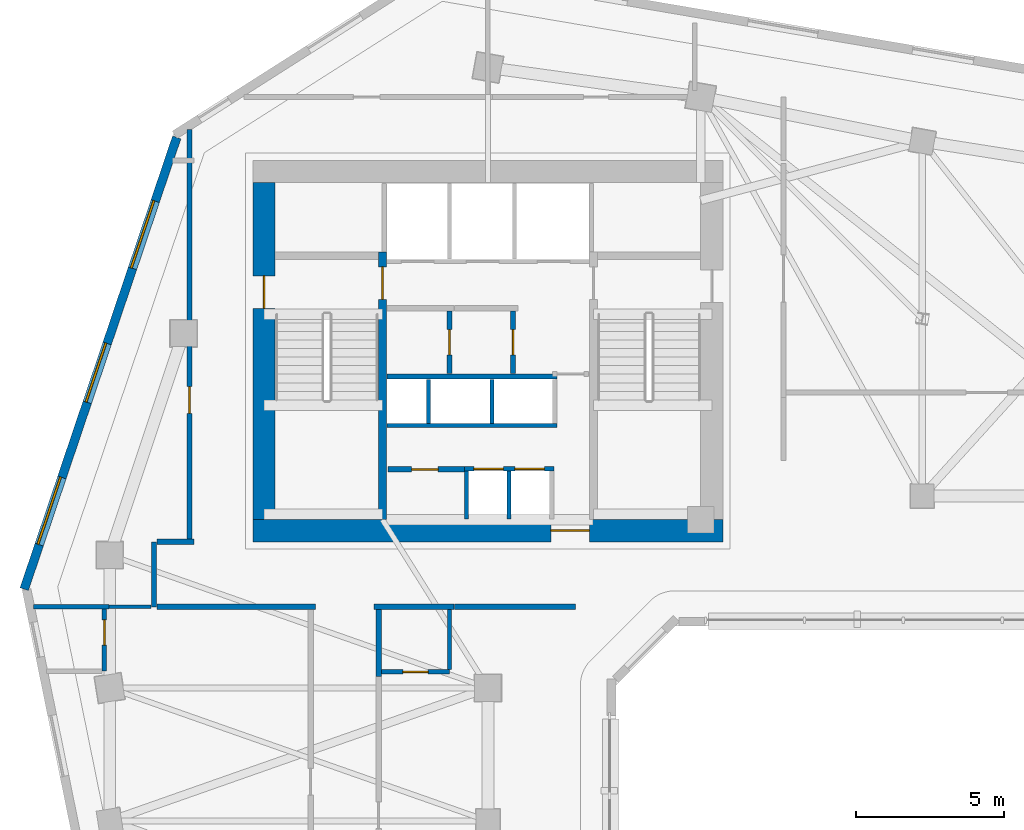
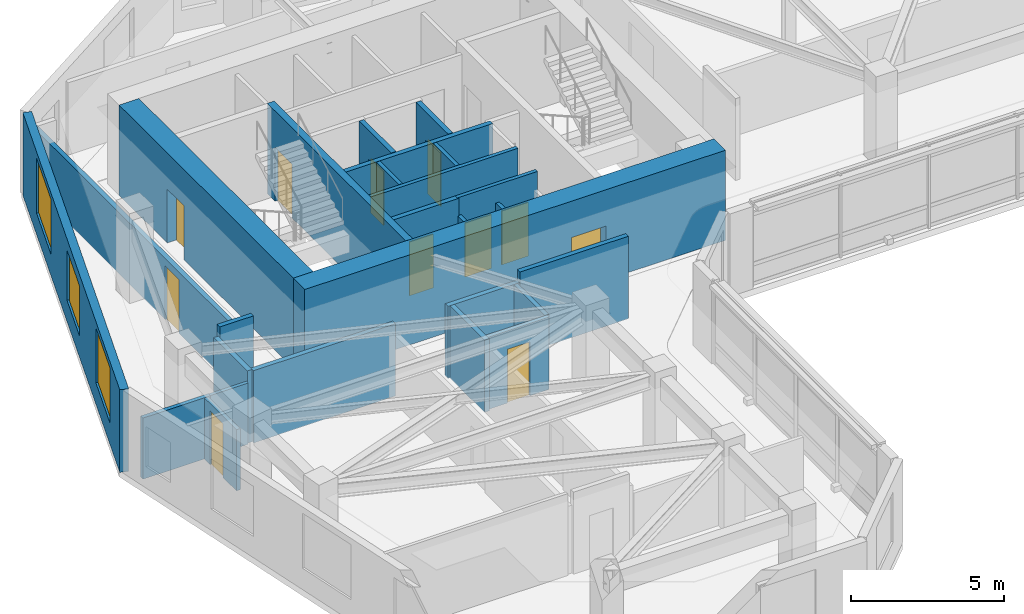
# One storey, part 5 of 10: 26 walls, 11 doors, 3 windows, 14 openings.
"""IFC4 building model written with IfcOpenShell, lengths in metres."""

from ifc_helpers import new_model, si_unit, direction, frame, frame_2d, origin, place, context, subcontext, project, spatial, rectangle, extrude, source, transform, mapped, material, layer, layer_set, type_object, element, fill, save


model = new_model("IFC4")

# Units and contexts
model_context = context("Model", 3, precision=1e-05, world=origin(), true_north=direction((0.0, 1.0)))
body_context = subcontext(model_context, "Body", "Model", "MODEL_VIEW")
ifc_project = project(units=[si_unit("LENGTHUNIT", "METRE"), si_unit("AREAUNIT", "SQUARE_METRE"), si_unit("VOLUMEUNIT", "CUBIC_METRE"), si_unit("PLANEANGLEUNIT", "RADIAN"), si_unit("MASSUNIT", "GRAM", prefix="KILO")], contexts=[model_context])

# Site, building, storey
site_placement = place(None, origin())
site = spatial("IfcSite", under=ifc_project, at=site_placement, CompositionType="ELEMENT")
building_placement = place(site_placement, origin())
building = spatial("IfcBuilding", under=site, at=building_placement, Name="Calvemar Wedge Station Tower", CompositionType="ELEMENT")
storey_placement = place(building_placement, frame((0.0, 0.0, 168.199951171875)))
storey = spatial("IfcBuildingStorey", under=building, at=storey_placement, Name="L42", CompositionType="ELEMENT", Elevation=168.199951171875)

# Wall, opening, door
ifc_material_1 = material(Name="Concrete C50", Category="concrete")
ifc_layer_1 = layer(ifc_material_1, 0.260009765625)
ifc_layer_set_1 = layer_set([ifc_layer_1], Name="Concrete C50")
wall_type_1 = type_object("IfcWallType", Name="SW-CORE-260", PredefinedType="SHEAR", material=ifc_layer_set_1)
wall_1_placement = place(storey_placement, frame((20.22998046875, 34.199951171875, 0.0), z_axis=(0.0, 0.0, 1.0), x_axis=(0.0, 1.0, 0.0)))
wall_1 = element("IfcWall", 1, at=wall_1_placement, inside=storey, type_object=wall_type_1, Name="Storey L42 Core Shear Wall SPINE-W", PredefinedType="SHEAR", context=body_context, shape_type="SweptSolid", body=[
    extrude(rectangle(XDim=9.06005859375, YDim=0.260009765625, at=frame_2d((4.530029296875, 0.0))), origin(), (0.0, 0.0, 1.0), 3.60009765625),
])
shared_shape_1 = source(origin(), body_context, "Body", "SweptSolid", [
    extrude(rectangle(XDim=1.10009765625, YDim=2.14990234375, at=frame_2d((0.550048828125, 1.074951171875))), frame((0.0, 0.14013671875, 0.0), z_axis=(0.0, -1.0, 0.0), x_axis=(1.0, 0.0, 0.0)), (0.0, 0.0, 1.0), 0.280029296875),
])
opening_1_placement = place(wall_1_placement, frame((7.449951171875, 0.0, 0.0)))
opening_1 = element("IfcOpeningElement", 2, at=opening_1_placement, cuts=wall_1, Name="Opening FD-90", PredefinedType="OPENING", context=body_context, shape_type="MappedRepresentation", body=[
    mapped(shared_shape_1, transform((0.0, 0.0, 0.0), scale=1.0)),
])
ifc_material_2 = material(Name="Galvanized fire-rated steel door leaf P-90", Category="steel")
door_type_1 = type_object("IfcDoorType", Name="DR-FD90-1100", OperationType="NOTDEFINED", PredefinedType="DOOR", material=ifc_material_2)
shared_shape_2 = source(origin(), body_context, "Body", "SweptSolid", [
    extrude(rectangle(XDim=1.10009765625, YDim=2.14990234375, at=frame_2d((0.550048828125, 1.074951171875))), frame((0.0, 0.02490234375, 0.0), z_axis=(0.0, -1.0, 0.0), x_axis=(1.0, 0.0, 0.0)), (0.0, 0.0, 1.0), 0.050048828125),
])
door_1_placement = place(opening_1_placement, origin())
door_1 = element("IfcDoor", 3, at=door_1_placement, inside=storey, type_object=door_type_1, Name="L42 FF Lobby to Stair ST-C1 Door", OperationType="SINGLE_SWING_LEFT", OverallHeight=2.14990234375, OverallWidth=1.10009765625, PredefinedType="DOOR", context=body_context, shape_type="MappedRepresentation", body=[
    mapped(shared_shape_2, transform((0.0, 0.0, 0.0), scale=1.0)),
])
fill(opening_1, door_1)

ifc_material_3 = material(Name="Concrete C70", Category="concrete")
ifc_layer_2 = layer(ifc_material_3, 0.75)
ifc_layer_set_2 = layer_set([ifc_layer_2], Name="Concrete C70")
wall_type_2 = type_object("IfcWallType", Name="SW-CORE-750", PredefinedType="SHEAR", material=ifc_layer_set_2)
wall_2_placement = place(storey_placement, frame((15.85009765625, 33.824951171875, 0.0), z_axis=(0.0, 0.0, 1.0), x_axis=(1.0, 0.0, 0.0)))
wall_2 = element("IfcWall", 4, at=wall_2_placement, inside=storey, type_object=wall_type_2, Name="Storey L42 Core Shear Wall S", PredefinedType="SHEAR", context=body_context, shape_type="SweptSolid", body=[
    extrude(rectangle(XDim=15.89990234375, YDim=0.75, at=frame_2d((7.949951171875, 0.0))), origin(), (0.0, 0.0, 1.0), 3.60009765625),
])
shared_shape_3 = source(origin(), body_context, "Body", "SweptSolid", [
    extrude(rectangle(XDim=1.300048828125, YDim=2.14990234375, at=frame_2d((0.64990234375, 1.074951171875))), frame((0.0, 0.385009765625, 0.0), z_axis=(0.0, -1.0, 0.0), x_axis=(1.0, 0.0, 0.0)), (0.0, 0.0, 1.0), 0.77001953125),
])
opening_2_placement = place(wall_2_placement, frame((10.080078125, 0.0, 0.0)))
opening_2 = element("IfcOpeningElement", 5, at=opening_2_placement, cuts=wall_2, Name="Opening DD-130", PredefinedType="OPENING", context=body_context, shape_type="MappedRepresentation", body=[
    mapped(shared_shape_3, transform((0.0, 0.0, 0.0), scale=1.0)),
])
ifc_material_4 = material(Name="Double-leaf lift lobby fire door EI 60")
door_type_2 = type_object("IfcDoorType", Name="DR-DBL-1300", OperationType="DOUBLE_DOOR_SINGLE_SWING", PredefinedType="DOOR", material=ifc_material_4)
shared_shape_4 = source(origin(), body_context, "Body", "SweptSolid", [
    extrude(rectangle(XDim=1.300048828125, YDim=2.14990234375, at=frame_2d((0.64990234375, 1.074951171875))), frame((0.0, 0.02490234375, 0.0), z_axis=(0.0, -1.0, 0.0), x_axis=(1.0, 0.0, 0.0)), (0.0, 0.0, 1.0), 0.050048828125),
])
door_2_placement = place(opening_2_placement, origin())
door_2 = element("IfcDoor", 6, at=door_2_placement, inside=storey, type_object=door_type_2, Name="L42 Passenger Lift Lobby Door", OperationType="DOUBLE_DOOR_SINGLE_SWING", OverallHeight=2.14990234375, OverallWidth=1.300048828125, PredefinedType="DOOR", context=body_context, shape_type="MappedRepresentation", body=[
    mapped(shared_shape_4, transform((0.0, 0.0, 0.0), scale=1.0)),
])
fill(opening_2, door_2)

wall_3_placement = place(storey_placement, frame((16.22509765625, 34.199951171875, 0.0), z_axis=(0.0, 0.0, 1.0), x_axis=(0.0, 1.0, 0.0)))
wall_3 = element("IfcWall", 7, at=wall_3_placement, inside=storey, type_object=wall_type_2, Name="Storey L42 Core Shear Wall W", PredefinedType="SHEAR", context=body_context, shape_type="SweptSolid", body=[
    extrude(rectangle(XDim=11.400146484375, YDim=0.75, at=frame_2d((5.7001953125, 0.0))), origin(), (0.0, 0.0, 1.0), 3.60009765625),
])
shared_shape_5 = source(origin(), body_context, "Body", "SweptSolid", [
    extrude(rectangle(XDim=1.10009765625, YDim=2.14990234375, at=frame_2d((0.550048828125, 1.074951171875))), frame((0.0, 0.385009765625, 0.0), z_axis=(0.0, -1.0, 0.0), x_axis=(1.0, 0.0, 0.0)), (0.0, 0.0, 1.0), 0.77001953125),
])
opening_3_placement = place(wall_3_placement, frame((7.14990234375, 0.0, 0.0)))
opening_3 = element("IfcOpeningElement", 8, at=opening_3_placement, cuts=wall_3, Name="Opening FD-90", PredefinedType="OPENING", context=body_context, shape_type="MappedRepresentation", body=[
    mapped(shared_shape_5, transform((0.0, 0.0, 0.0), scale=1.0)),
])
door_3_placement = place(opening_3_placement, origin())
door_3 = element("IfcDoor", 9, at=door_3_placement, inside=storey, type_object=door_type_1, Name="L42 West Corridor to Exit Stair ST-C1 Door", OperationType="SINGLE_SWING_LEFT", OverallHeight=2.14990234375, OverallWidth=1.10009765625, PredefinedType="DOOR", context=body_context, shape_type="MappedRepresentation", body=[
    mapped(shared_shape_2, transform((0.0, 0.0, 0.0), scale=1.0)),
])
fill(opening_3, door_3)

ifc_material_5 = material(Name="Double-stud fire-rated corridor partition")
ifc_layer_3 = layer(ifc_material_5, 0.179931640625)
ifc_layer_set_3 = layer_set([ifc_layer_3], Name="Double-stud fire-rated corridor partition")
wall_type_3 = type_object("IfcWallType", Name="W-CORR-180", PredefinedType="PARTITIONING", material=ifc_layer_set_3)
wall_4_placement = place(storey_placement, frame((22.5, 41.256103515625, 0.0), z_axis=(0.0, 0.0, 1.0), x_axis=(0.0, -1.0, 0.0)))
wall_4 = element("IfcWall", 10, at=wall_4_placement, inside=storey, type_object=wall_type_3, Name="Storey L42 Interior Partition WL-L42-003", PredefinedType="PARTITIONING", context=body_context, shape_type="SweptSolid", body=[
    extrude(rectangle(XDim=2.106201171875, YDim=0.179931640625, at=frame_2d((1.05322265625, 0.0))), origin(), (0.0, 0.0, 1.0), 3.300048828125),
])
shared_shape_6 = source(origin(), body_context, "Body", "SweptSolid", [
    extrude(rectangle(XDim=0.85009765625, YDim=2.14990234375, at=frame_2d((0.425048828125, 1.074951171875))), frame((0.0, 0.10009765625, 0.0), z_axis=(0.0, -1.0, 0.0), x_axis=(1.0, 0.0, 0.0)), (0.0, 0.0, 1.0), 0.199951171875),
])
opening_4_placement = place(wall_4_placement, frame((0.6279296875, 0.0, 0.0)))
opening_4 = element("IfcOpeningElement", 11, at=opening_4_placement, cuts=wall_4, Name="Opening FD-60S", PredefinedType="OPENING", context=body_context, shape_type="MappedRepresentation", body=[
    mapped(shared_shape_6, transform((0.0, 0.0, 0.0), scale=1.0)),
])
ifc_material_6 = material(Name="Fire-rated steel and hardwood service door EI 60", Category="steel")
door_type_3 = type_object("IfcDoorType", Name="DR-CORE-FD60-850", OperationType="NOTDEFINED", PredefinedType="DOOR", material=ifc_material_6)
shared_shape_7 = source(origin(), body_context, "Body", "SweptSolid", [
    extrude(rectangle(XDim=0.85009765625, YDim=2.14990234375, at=frame_2d((0.425048828125, 1.074951171875))), frame((0.0, 0.02490234375, 0.0), z_axis=(0.0, -1.0, 0.0), x_axis=(1.0, 0.0, 0.0)), (0.0, 0.0, 1.0), 0.050048828125),
])
door_4_placement = place(opening_4_placement, origin())
door_4 = element("IfcDoor", 12, at=door_4_placement, inside=storey, type_object=door_type_3, Name="L42 IT and Telecoms Room Door", OperationType="SINGLE_SWING_LEFT", OverallHeight=2.14990234375, OverallWidth=0.85009765625, PredefinedType="DOOR", context=body_context, shape_type="MappedRepresentation", body=[
    mapped(shared_shape_7, transform((0.0, 0.0, 0.0), scale=1.0)),
])
fill(opening_4, door_4)

wall_5_placement = place(storey_placement, frame((24.64990234375, 41.256103515625, 0.0), z_axis=(0.0, 0.0, 1.0), x_axis=(0.0, -1.0, 0.0)))
wall_5 = element("IfcWall", 13, at=wall_5_placement, inside=storey, type_object=wall_type_3, Name="Storey L42 Interior Partition WL-L42-004", PredefinedType="PARTITIONING", context=body_context, shape_type="SweptSolid", body=[
    extrude(rectangle(XDim=2.106201171875, YDim=0.179931640625, at=frame_2d((1.05322265625, 0.0))), origin(), (0.0, 0.0, 1.0), 3.300048828125),
])
opening_5_placement = place(wall_5_placement, frame((0.6279296875, 0.0, 0.0)))
opening_5 = element("IfcOpeningElement", 14, at=opening_5_placement, cuts=wall_5, Name="Opening FD-60S", PredefinedType="OPENING", context=body_context, shape_type="MappedRepresentation", body=[
    mapped(shared_shape_6, transform((0.0, 0.0, 0.0), scale=1.0)),
])
door_5_placement = place(opening_5_placement, origin())
door_5 = element("IfcDoor", 15, at=door_5_placement, inside=storey, type_object=door_type_3, Name="L42 Core Equipment Store Door", OperationType="SINGLE_SWING_RIGHT", OverallHeight=2.14990234375, OverallWidth=0.85009765625, PredefinedType="DOOR", context=body_context, shape_type="MappedRepresentation", body=[
    mapped(shared_shape_7, transform((0.0, 0.0, 0.0), scale=1.0)),
])
fill(opening_5, door_5)

wall_6_placement = place(storey_placement, frame((20.419921875, 35.89990234375, 0.0), z_axis=(0.0, 0.0, 1.0), x_axis=(1.0, 0.0, 0.0)))
wall_6 = element("IfcWall", 16, at=wall_6_placement, inside=storey, type_object=wall_type_3, Name="Storey L42 Interior Partition WL-L42-006", PredefinedType="PARTITIONING", context=body_context, shape_type="SweptSolid", body=[
    extrude(rectangle(XDim=2.6201171875, YDim=0.179931640625, at=frame_2d((1.31005859375, 0.0))), origin(), (0.0, 0.0, 1.0), 3.300048828125),
])
shared_shape_8 = source(origin(), body_context, "Body", "SweptSolid", [
    extrude(rectangle(XDim=0.89990234375, YDim=2.14990234375, at=frame_2d((0.449951171875, 1.074951171875))), frame((0.0, 0.10009765625, 0.0), z_axis=(0.0, -1.0, 0.0), x_axis=(1.0, 0.0, 0.0)), (0.0, 0.0, 1.0), 0.199951171875),
])
opening_6_placement = place(wall_6_placement, frame((0.795654296875, 0.0, 0.0)))
opening_6 = element("IfcOpeningElement", 17, at=opening_6_placement, cuts=wall_6, Name="Opening FD-60", PredefinedType="OPENING", context=body_context, shape_type="MappedRepresentation", body=[
    mapped(shared_shape_8, transform((0.0, 0.0, 0.0), scale=1.0)),
])
ifc_material_7 = material(Name="Fire-rated acoustic timber-core entrance door EI 60", Category="wood")
door_type_4 = type_object("IfcDoorType", Name="DR-FD60-900", OperationType="NOTDEFINED", PredefinedType="DOOR", material=ifc_material_7)
shared_shape_9 = source(origin(), body_context, "Body", "SweptSolid", [
    extrude(rectangle(XDim=0.89990234375, YDim=2.14990234375, at=frame_2d((0.449951171875, 1.074951171875))), frame((0.0, 0.02490234375, 0.0), z_axis=(0.0, -1.0, 0.0), x_axis=(1.0, 0.0, 0.0)), (0.0, 0.0, 1.0), 0.050048828125),
])
door_6_placement = place(opening_6_placement, origin())
door_6 = element("IfcDoor", 18, at=door_6_placement, inside=storey, type_object=door_type_4, Name="L42 Housekeeping Store Door", OperationType="SINGLE_SWING_RIGHT", OverallHeight=2.14990234375, OverallWidth=0.89990234375, PredefinedType="DOOR", context=body_context, shape_type="MappedRepresentation", body=[
    mapped(shared_shape_9, transform((0.0, 0.0, 0.0), scale=1.0)),
])
fill(opening_6, door_6)

# Walls
wall_7_placement = place(storey_placement, frame((12.5, 31.25, 0.0), z_axis=(0.0, 0.0, 1.0), x_axis=(0.0, 1.0, 0.0)))
element("IfcWall", 19, at=wall_7_placement, inside=storey, type_object=wall_type_3, Name="Storey L42 Interior Partition WL-L42-007", PredefinedType="PARTITIONING", context=body_context, shape_type="SweptSolid", body=[
    extrude(rectangle(XDim=2.199951171875, YDim=0.179931640625, at=frame_2d((1.10009765625, 0.0))), origin(), (0.0, 0.0, 1.0), 2.885009765625),
])
wall_8_placement = place(storey_placement, frame((12.593994140625, 33.449951171875, 0.0), z_axis=(0.0, 0.0, 1.0), x_axis=(1.0, 0.0, 0.0)))
element("IfcWall", 20, at=wall_8_placement, inside=storey, type_object=wall_type_3, Name="Storey L42 Interior Partition WL-L42-008", PredefinedType="PARTITIONING", context=body_context, shape_type="SweptSolid", body=[
    extrude(rectangle(XDim=1.26611328125, YDim=0.179931640625, at=frame_2d((0.633056640625, 0.0))), origin(), (0.0, 0.0, 1.0), 3.300048828125),
])
wall_9_placement = place(storey_placement, frame((17.9599609375, 31.25, 0.0), z_axis=(0.0, 0.0, 1.0), x_axis=(-1.0, 0.0, 0.0)))
element("IfcWall", 21, at=wall_9_placement, inside=storey, type_object=wall_type_3, Name="Storey L42 Interior Partition WL-L42-009", PredefinedType="PARTITIONING", context=body_context, shape_type="SweptSolid", body=[
    extrude(rectangle(XDim=5.365966796875, YDim=0.179931640625, at=frame_2d((2.68310546875, 0.0))), origin(), (0.0, 0.0, 1.0), 2.885009765625),
])
wall_10_placement = place(storey_placement, frame((22.659912109375, 31.25, 0.0), z_axis=(0.0, 0.0, 1.0), x_axis=(-1.0, 0.0, 0.0)))
element("IfcWall", 22, at=wall_10_placement, inside=storey, type_object=wall_type_3, Name="Storey L42 Interior Partition WL-L42-010", PredefinedType="PARTITIONING", context=body_context, shape_type="SweptSolid", body=[
    extrude(rectangle(XDim=2.719970703125, YDim=0.179931640625, at=frame_2d((1.35986328125, 0.0))), origin(), (0.0, 0.0, 1.0), 2.885009765625),
])
wall_11_placement = place(storey_placement, frame((26.760009765625, 31.25, 0.0), z_axis=(0.0, 0.0, 1.0), x_axis=(-1.0, 0.0, 0.0)))
element("IfcWall", 23, at=wall_11_placement, inside=storey, type_object=wall_type_3, Name="Storey L42 Interior Partition WL-L42-011", PredefinedType="PARTITIONING", context=body_context, shape_type="SweptSolid", body=[
    extrude(rectangle(XDim=4.097900390625, YDim=0.179931640625, at=frame_2d((2.048828125, 0.0))), origin(), (0.0, 0.0, 1.0), 3.300048828125),
])

# Wall, opening, door
wall_12_placement = place(storey_placement, frame((13.699951171875, 33.5439453125, 0.0), z_axis=(0.0, 0.0, 1.0), x_axis=(0.0, 1.0, 0.0)))
wall_12 = element("IfcWall", 24, at=wall_12_placement, inside=storey, type_object=wall_type_3, Name="Storey L42 Interior Partition WL-L42-012", PredefinedType="PARTITIONING", context=body_context, shape_type="SweptSolid", body=[
    extrude(rectangle(XDim=13.860107421875, YDim=0.179931640625, at=frame_2d((6.93017578125, 0.0))), origin(), (0.0, 0.0, 1.0), 2.442138671875),
])
opening_7_placement = place(wall_12_placement, frame((4.252685546875, 0.0, 0.0)))
opening_7 = element("IfcOpeningElement", 25, at=opening_7_placement, cuts=wall_12, Name="Opening D-01", PredefinedType="OPENING", context=body_context, shape_type="MappedRepresentation", body=[
    mapped(shared_shape_8, transform((0.0, 0.0, 0.0), scale=1.0)),
])
ifc_material_8 = material(Name="Architectural hardwood acoustic swing door", Category="wood")
door_type_5 = type_object("IfcDoorType", Name="DR-INT-900", OperationType="NOTDEFINED", PredefinedType="DOOR", material=ifc_material_8)
shared_shape_10 = source(origin(), body_context, "Body", "SweptSolid", [
    extrude(rectangle(XDim=0.89990234375, YDim=2.14990234375, at=frame_2d((0.449951171875, 1.074951171875))), frame((0.0, 0.02490234375, 0.0), z_axis=(0.0, -1.0, 0.0), x_axis=(1.0, 0.0, 0.0)), (0.0, 0.0, 1.0), 0.050048828125),
])
door_7_placement = place(opening_7_placement, origin())
door_7 = element("IfcDoor", 26, at=door_7_placement, inside=storey, type_object=door_type_5, Name="L42 Executive Lounge Door", OperationType="SINGLE_SWING_LEFT", OverallHeight=2.14990234375, OverallWidth=0.89990234375, PredefinedType="DOOR", context=body_context, shape_type="MappedRepresentation", body=[
    mapped(shared_shape_10, transform((0.0, 0.0, 0.0), scale=1.0)),
])
fill(opening_7, door_7)

# Wall
wall_13_placement = place(storey_placement, frame((20.10009765625, 31.156005859375, 0.0), z_axis=(0.0, 0.0, 1.0), x_axis=(0.0, -1.0, 0.0)))
element("IfcWall", 27, at=wall_13_placement, inside=storey, type_object=wall_type_3, Name="Storey L42 Interior Partition WL-L42-026", PredefinedType="PARTITIONING", context=body_context, shape_type="SweptSolid", body=[
    extrude(rectangle(XDim=2.26611328125, YDim=0.179931640625, at=frame_2d((1.133056640625, 0.0))), origin(), (0.0, 0.0, 1.0), 2.885009765625),
])

# Wall, openings, windows
ifc_material_9 = material(Name="Precast concrete C45", Category="concrete")
ifc_layer_4 = layer(ifc_material_9, 0.300048828125)
ifc_layer_set_4 = layer_set([ifc_layer_4], Name="Precast concrete C45")
wall_type_4 = type_object("IfcWallType", Name="W-EXT-GFRC-300", PredefinedType="SOLIDWALL", material=ifc_layer_set_4)
wall_14_placement = place(storey_placement, frame((13.2685546875, 47.1337890625, 0.0), z_axis=(0.0, 0.0, 1.0), x_axis=(-0.319929773322, -0.947441259468, 0.0)))
wall_14 = element("IfcWall", 28, at=wall_14_placement, inside=storey, type_object=wall_type_4, Name="Storey L42 Bronze GFRC Exterior Wall 12", PredefinedType="SOLIDWALL", context=body_context, shape_type="SweptSolid", body=[
    extrude(rectangle(XDim=16.133544921875, YDim=0.300048828125, at=frame_2d((8.06689453125, 0.0))), origin(), (0.0, 0.0, 1.0), 3.300048828125),
])
shared_shape_11 = source(origin(), body_context, "Body", "SweptSolid", [
    extrude(rectangle(XDim=2.39990234375, YDim=2.199951171875, at=frame_2d((1.199951171875, 1.10009765625))), frame((0.0, 0.16015625, 0.0), z_axis=(0.0, -1.0, 0.0), x_axis=(1.0, 0.0, 0.0)), (0.0, 0.0, 1.0), 0.320068359375),
])
opening_8_placement = place(wall_14_placement, frame((2.27587890625, 0.0, 0.85009765625)))
opening_8 = element("IfcOpeningElement", 29, at=opening_8_placement, cuts=wall_14, Name="Opening W1", PredefinedType="OPENING", context=body_context, shape_type="MappedRepresentation", body=[
    mapped(shared_shape_11, transform((0.0, 0.0, 0.0), scale=1.0)),
])
shared_shape_12 = source(origin(), body_context, "Body", "SweptSolid", [
    extrude(rectangle(XDim=2.10009765625, YDim=2.0, at=frame_2d((1.050048828125, 1.0))), frame((0.0, 0.16015625, 0.0), z_axis=(0.0, -1.0, 0.0), x_axis=(1.0, 0.0, 0.0)), (0.0, 0.0, 1.0), 0.320068359375),
])
opening_9_placement = place(wall_14_placement, frame((7.361083984375, 0.0, 0.85009765625)))
opening_9 = element("IfcOpeningElement", 30, at=opening_9_placement, cuts=wall_14, Name="Opening W4", PredefinedType="OPENING", context=body_context, shape_type="MappedRepresentation", body=[
    mapped(shared_shape_12, transform((0.0, 0.0, 0.0), scale=1.0)),
])
opening_10_placement = place(wall_14_placement, frame((12.14599609375, 0.0, 0.85009765625)))
opening_10 = element("IfcOpeningElement", 31, at=opening_10_placement, cuts=wall_14, Name="Opening W1", PredefinedType="OPENING", context=body_context, shape_type="MappedRepresentation", body=[
    mapped(shared_shape_11, transform((0.0, 0.0, 0.0), scale=1.0)),
])
ifc_material_10 = material(Name="Low-E laminated insulated glass", Category="glass")
window_type_1 = type_object("IfcWindowType", Name="WIN-EXT-4", PartitioningType="SINGLE_PANEL", PredefinedType="WINDOW", material=ifc_material_10)
shared_shape_13 = source(origin(), body_context, "Body", "SweptSolid", [
    extrude(rectangle(XDim=2.10009765625, YDim=2.0, at=frame_2d((1.050048828125, 1.0))), frame((0.0, -0.014892578125, 0.0), z_axis=(0.0, -1.0, 0.0), x_axis=(1.0, 0.0, 0.0)), (0.0, 0.0, 1.0), 0.06005859375),
])
window_1_placement = place(opening_9_placement, origin())
window_1 = element("IfcWindow", 32, at=window_1_placement, inside=storey, type_object=window_type_1, Name="Storey L42 Recessed Window 12.2", OverallHeight=2.0, OverallWidth=2.10009765625, PartitioningType="SINGLE_PANEL", PredefinedType="WINDOW", context=body_context, shape_type="MappedRepresentation", body=[
    mapped(shared_shape_13, transform((0.0, 0.0, 0.0), scale=1.0)),
])
fill(opening_9, window_1)
window_type_2 = type_object("IfcWindowType", Name="WIN-EXT-1", PartitioningType="SINGLE_PANEL", PredefinedType="WINDOW", material=ifc_material_10)
shared_shape_14 = source(origin(), body_context, "Body", "SweptSolid", [
    extrude(rectangle(XDim=2.39990234375, YDim=2.199951171875, at=frame_2d((1.199951171875, 1.10009765625))), frame((0.0, -0.014892578125, 0.0), z_axis=(0.0, -1.0, 0.0), x_axis=(1.0, 0.0, 0.0)), (0.0, 0.0, 1.0), 0.06005859375),
])
window_2_placement = place(opening_8_placement, origin())
window_2 = element("IfcWindow", 33, at=window_2_placement, inside=storey, type_object=window_type_2, Name="Storey L42 Recessed Window 12.1", OverallHeight=2.199951171875, OverallWidth=2.39990234375, PartitioningType="SINGLE_PANEL", PredefinedType="WINDOW", context=body_context, shape_type="MappedRepresentation", body=[
    mapped(shared_shape_14, transform((0.0, 0.0, 0.0), scale=1.0)),
])
fill(opening_8, window_2)
window_3_placement = place(opening_10_placement, origin())
window_3 = element("IfcWindow", 34, at=window_3_placement, inside=storey, type_object=window_type_2, Name="Storey L42 Recessed Window 12.3", OverallHeight=2.199951171875, OverallWidth=2.39990234375, PartitioningType="SINGLE_PANEL", PredefinedType="WINDOW", context=body_context, shape_type="MappedRepresentation", body=[
    mapped(shared_shape_14, transform((0.0, 0.0, 0.0), scale=1.0)),
])
fill(opening_10, window_3)

# Wall, openings, doors
ifc_material_11 = material(Name="Reinforced concrete blockwork lift shaft wall", Category="masonry")
ifc_layer_5 = layer(ifc_material_11, 0.139892578125)
ifc_layer_set_5 = layer_set([ifc_layer_5], Name="Reinforced concrete blockwork lift shaft wall")
wall_type_5 = type_object("IfcWallType", Name="W-LIFT-160", PredefinedType="SOLIDWALL", material=ifc_layer_set_5)
wall_15_placement = place(storey_placement, frame((23.0, 35.919921875, 0.0), z_axis=(0.0, 0.0, 1.0), x_axis=(1.0, 0.0, 0.0)))
wall_15 = element("IfcWall", 35, at=wall_15_placement, inside=storey, type_object=wall_type_5, Name="Storey L42 South Passenger Lift Bank Front Wall", PredefinedType="SOLIDWALL", context=body_context, shape_type="SweptSolid", body=[
    extrude(rectangle(XDim=3.030029296875, YDim=0.139892578125, at=frame_2d((1.51513671875, 0.0))), origin(), (0.0, 0.0, 1.0), 3.300048828125),
])
shared_shape_15 = source(origin(), body_context, "Body", "SweptSolid", [
    extrude(rectangle(XDim=1.0, YDim=2.14990234375, at=frame_2d((0.5, 1.074951171875))), frame((0.0, 0.080078125, 0.0), z_axis=(0.0, -1.0, 0.0), x_axis=(1.0, 0.0, 0.0)), (0.0, 0.0, 1.0), 0.159912109375),
])
opening_11_placement = place(wall_15_placement, frame((0.320068359375, 0.0, 0.0)))
opening_11 = element("IfcOpeningElement", 36, at=opening_11_placement, cuts=wall_15, Name="Opening LD-PAX", PredefinedType="OPENING", context=body_context, shape_type="MappedRepresentation", body=[
    mapped(shared_shape_15, transform((0.0, 0.0, 0.0), scale=1.0)),
])
opening_12_placement = place(wall_15_placement, frame((1.7099609375, 0.0, 0.0)))
opening_12 = element("IfcOpeningElement", 37, at=opening_12_placement, cuts=wall_15, Name="Opening LD-PAX", PredefinedType="OPENING", context=body_context, shape_type="MappedRepresentation", body=[
    mapped(shared_shape_15, transform((0.0, 0.0, 0.0), scale=1.0)),
])
ifc_material_12 = material(Name="Anodised bronze passenger lift sliding landing door")
door_type_6 = type_object("IfcDoorType", Name="DR-LD-PAX-1000", OperationType="SLIDING_TO_LEFT", PredefinedType="DOOR", material=ifc_material_12)
shared_shape_16 = source(origin(), body_context, "Body", "SweptSolid", [
    extrude(rectangle(XDim=1.0, YDim=2.14990234375, at=frame_2d((0.5, 1.074951171875))), frame((0.0, 0.02490234375, 0.0), z_axis=(0.0, -1.0, 0.0), x_axis=(1.0, 0.0, 0.0)), (0.0, 0.0, 1.0), 0.050048828125),
])
door_8_placement = place(opening_11_placement, origin())
door_8 = element("IfcDoor", 38, at=door_8_placement, inside=storey, type_object=door_type_6, Name="L42 Lift HL-01 Sliding Landing Door", OperationType="SLIDING_TO_LEFT", OverallHeight=2.14990234375, OverallWidth=1.0, PredefinedType="DOOR", context=body_context, shape_type="MappedRepresentation", body=[
    mapped(shared_shape_16, transform((0.0, 0.0, 0.0), scale=1.0)),
])
fill(opening_11, door_8)
door_9_placement = place(opening_12_placement, origin())
door_9 = element("IfcDoor", 39, at=door_9_placement, inside=storey, type_object=door_type_6, Name="L42 Lift HL-02 Sliding Landing Door", OperationType="SLIDING_TO_RIGHT", OverallHeight=2.14990234375, OverallWidth=1.0, PredefinedType="DOOR", context=body_context, shape_type="MappedRepresentation", body=[
    mapped(shared_shape_16, transform((0.0, 0.0, 0.0), scale=1.0)),
])
fill(opening_12, door_9)

# Walls
for number, where, z_axis, x_axis, name in (
    (40, (23.070068359375, 34.219970703125, 0.0), (0.0, 0.0, 1.0), (0.0, 1.0, 0.0), "Storey L42 South Passenger Lift Shaft Wall W"),
    (41, (24.514892578125, 34.219970703125, 0.0), (0.0, 0.0, 1.0), (0.0, 1.0, 0.0), "Storey L42 South Passenger Lift Shaft Wall D1"),
):
    element("IfcWall", number, at=place(storey_placement, frame(where, z_axis=z_axis, x_axis=x_axis)), inside=storey, type_object=wall_type_5, Name=name, PredefinedType="SOLIDWALL", context=body_context, shape_type="SweptSolid", body=[
        extrude(rectangle(XDim=1.6201171875, YDim=0.139892578125, at=frame_2d((0.81005859375, 0.0))), origin(), (0.0, 0.0, 1.0), 2.592041015625),
    ])
wall_16_placement = place(storey_placement, frame((20.3798828125, 37.3798828125, 0.0), z_axis=(0.0, 0.0, 1.0), x_axis=(1.0, 0.0, 0.0)))
element("IfcWall", 42, at=wall_16_placement, inside=storey, type_object=wall_type_5, Name="Storey L42 Upper Passenger Lift Bank Front Wall", PredefinedType="SOLIDWALL", context=body_context, shape_type="SweptSolid", body=[
    extrude(rectangle(XDim=5.75, YDim=0.139892578125, at=frame_2d((2.875, 0.0))), origin(), (0.0, 0.0, 1.0), 3.300048828125),
])
for number, where, z_axis, x_axis, name in (
    (43, (21.794921875, 37.4599609375, 0.0), (0.0, 0.0, 1.0), (0.0, 1.0, 0.0), "Storey L42 Upper Passenger Lift Shaft Wall D1"),
    (44, (23.93505859375, 37.4599609375, 0.0), (0.0, 0.0, 1.0), (0.0, 1.0, 0.0), "Storey L42 Upper Passenger Lift Shaft Wall D2"),
):
    element("IfcWall", number, at=place(storey_placement, frame(where, z_axis=z_axis, x_axis=x_axis)), inside=storey, type_object=wall_type_5, Name=name, PredefinedType="SOLIDWALL", context=body_context, shape_type="SweptSolid", body=[
        extrude(rectangle(XDim=1.47998046875, YDim=0.139892578125, at=frame_2d((0.739990234375, 0.0))), origin(), (0.0, 0.0, 1.0), 3.300048828125),
    ])
ifc_material_13 = material(Name="Insulated acoustic gypsum stud partition")
ifc_layer_6 = layer(ifc_material_13, 0.125)
ifc_layer_set_6 = layer_set([ifc_layer_6], Name="Insulated acoustic gypsum stud partition")
wall_type_6 = type_object("IfcWallType", Name="W-PART-125", PredefinedType="PARTITIONING", material=ifc_layer_set_6)
wall_17_placement = place(storey_placement, frame((12.406005859375, 31.25, 0.0), z_axis=(0.0, 0.0, 1.0), x_axis=(-1.0, 0.0, 0.0)))
element("IfcWall", 45, at=wall_17_placement, inside=storey, type_object=wall_type_6, Name="Storey L42 Interior Partition WL-L42-020", PredefinedType="PARTITIONING", context=body_context, shape_type="SweptSolid", body=[
    extrude(rectangle(XDim=1.425537109375, YDim=0.125, at=frame_2d((0.712890625, 0.0))), origin(), (0.0, 0.0, 1.0), 2.442138671875),
])
ifc_material_14 = material(Name="Concrete blockwork and fireboard shaft wall", Category="masonry")
ifc_layer_7 = layer(ifc_material_14, 0.199951171875)
ifc_layer_set_7 = layer_set([ifc_layer_7], Name="Concrete blockwork and fireboard shaft wall")
wall_type_7 = type_object("IfcWallType", Name="W-SHAFT-200", PredefinedType="SOLIDWALL", material=ifc_layer_set_7)
wall_18_placement = place(storey_placement, frame((20.3798828125, 39.0400390625, 0.0), z_axis=(0.0, 0.0, 1.0), x_axis=(1.0, 0.0, 0.0)))
element("IfcWall", 46, at=wall_18_placement, inside=storey, type_object=wall_type_7, Name="Storey L42 Upper Passenger Lift Bank Rear Shaft Wall", PredefinedType="SOLIDWALL", context=body_context, shape_type="SweptSolid", body=[
    extrude(rectangle(XDim=5.75, YDim=0.179931640625, at=frame_2d((2.875, 0.0))), origin(), (0.0, 0.0, 1.0), 3.300048828125),
])
ifc_material_15 = material(Name="Moisture-resistant acoustic bathroom partition")
ifc_layer_8 = layer(ifc_material_15, 0.14990234375)
ifc_layer_set_8 = layer_set([ifc_layer_8], Name="Moisture-resistant acoustic bathroom partition")
wall_type_8 = type_object("IfcWallType", Name="W-WET-150", PredefinedType="PARTITIONING", material=ifc_layer_set_8)
wall_19_placement = place(storey_placement, frame((10.978515625, 31.25, 0.0), z_axis=(0.0, 0.0, 1.0), x_axis=(-1.0, 0.0, 0.0)))
element("IfcWall", 47, at=wall_19_placement, inside=storey, type_object=wall_type_8, Name="Storey L42 Interior Partition WL-L42-019", PredefinedType="PARTITIONING", context=body_context, shape_type="SweptSolid", body=[
    extrude(rectangle(XDim=2.555908203125, YDim=0.14990234375, at=frame_2d((1.27783203125, 0.0))), origin(), (0.0, 0.0, 1.0), 2.442138671875),
])

# Wall, opening, door
wall_20_placement = place(storey_placement, frame((10.818603515625, 31.1708984375, 0.0), z_axis=(0.0, 0.0, 1.0), x_axis=(0.0, -1.0, 0.0)))
wall_20 = element("IfcWall", 48, at=wall_20_placement, inside=storey, type_object=wall_type_8, Name="Storey L42 Interior Partition WL-L42-029", PredefinedType="PARTITIONING", context=body_context, shape_type="SweptSolid", body=[
    extrude(rectangle(XDim=2.100830078125, YDim=0.14990234375, at=frame_2d((1.05029296875, 0.0))), origin(), (0.0, 0.0, 1.0), 2.442138671875),
])
shared_shape_17 = source(origin(), body_context, "Body", "SweptSolid", [
    extrude(rectangle(XDim=0.85009765625, YDim=2.14990234375, at=frame_2d((0.425048828125, 1.074951171875))), frame((0.0, 0.0849609375, 0.0), z_axis=(0.0, -1.0, 0.0), x_axis=(1.0, 0.0, 0.0)), (0.0, 0.0, 1.0), 0.169921875),
])
opening_13_placement = place(wall_20_placement, frame((0.366455078125, 0.0, 0.0)))
opening_13 = element("IfcOpeningElement", 49, at=opening_13_placement, cuts=wall_20, Name="Opening D-02", PredefinedType="OPENING", context=body_context, shape_type="MappedRepresentation", body=[
    mapped(shared_shape_17, transform((0.0, 0.0, 0.0), scale=1.0)),
])
ifc_material_16 = material(Name="Moisture-sealed bathroom hardwood swing door", Category="wood")
door_type_7 = type_object("IfcDoorType", Name="DR-WET-850", OperationType="NOTDEFINED", PredefinedType="DOOR", material=ifc_material_16)
shared_shape_18 = source(origin(), body_context, "Body", "SweptSolid", [
    extrude(rectangle(XDim=0.85009765625, YDim=2.14990234375, at=frame_2d((0.425048828125, 1.074951171875))), frame((0.0, 0.02490234375, 0.0), z_axis=(0.0, -1.0, 0.0), x_axis=(1.0, 0.0, 0.0)), (0.0, 0.0, 1.0), 0.050048828125),
])
door_10_placement = place(opening_13_placement, origin())
door_10 = element("IfcDoor", 50, at=door_10_placement, inside=storey, type_object=door_type_7, Name="L42 En-Suite Bathroom Door", OperationType="SINGLE_SWING_LEFT", OverallHeight=2.14990234375, OverallWidth=0.85009765625, PredefinedType="DOOR", context=body_context, shape_type="MappedRepresentation", body=[
    mapped(shared_shape_18, transform((0.0, 0.0, 0.0), scale=1.0)),
])
fill(opening_13, door_10)

wall_21_placement = place(storey_placement, frame((22.5, 29.050048828125, 0.0), z_axis=(0.0, 0.0, 1.0), x_axis=(-1.0, 0.0, 0.0)))
wall_21 = element("IfcWall", 51, at=wall_21_placement, inside=storey, type_object=wall_type_8, Name="Storey L42 Interior Partition WL-L42-032", PredefinedType="PARTITIONING", context=body_context, shape_type="SweptSolid", body=[
    extrude(rectangle(XDim=2.305908203125, YDim=0.14990234375, at=frame_2d((1.15283203125, 0.0))), origin(), (0.0, 0.0, 1.0), 2.885009765625),
])
opening_14_placement = place(wall_21_placement, frame((0.72802734375, 0.0, 0.0)))
opening_14 = element("IfcOpeningElement", 52, at=opening_14_placement, cuts=wall_21, Name="Opening D-02", PredefinedType="OPENING", context=body_context, shape_type="MappedRepresentation", body=[
    mapped(shared_shape_17, transform((0.0, 0.0, 0.0), scale=1.0)),
])
door_11_placement = place(opening_14_placement, origin())
door_11 = element("IfcDoor", 53, at=door_11_placement, inside=storey, type_object=door_type_7, Name="L42 En-Suite Bathroom Door", OperationType="SINGLE_SWING_LEFT", OverallHeight=2.14990234375, OverallWidth=0.85009765625, PredefinedType="DOOR", context=body_context, shape_type="MappedRepresentation", body=[
    mapped(shared_shape_18, transform((0.0, 0.0, 0.0), scale=1.0)),
])
fill(opening_14, door_11)

# Wall
wall_22_placement = place(storey_placement, frame((22.5, 31.156005859375, 0.0), z_axis=(0.0, 0.0, 1.0), x_axis=(0.0, -1.0, 0.0)))
element("IfcWall", 54, at=wall_22_placement, inside=storey, type_object=wall_type_8, Name="Storey L42 Interior Partition WL-L42-033", PredefinedType="PARTITIONING", context=body_context, shape_type="SweptSolid", body=[
    extrude(rectangle(XDim=2.027099609375, YDim=0.14990234375, at=frame_2d((1.013671875, 0.0))), origin(), (0.0, 0.0, 1.0), 2.885009765625),
])

save(model, "model.ifc")
